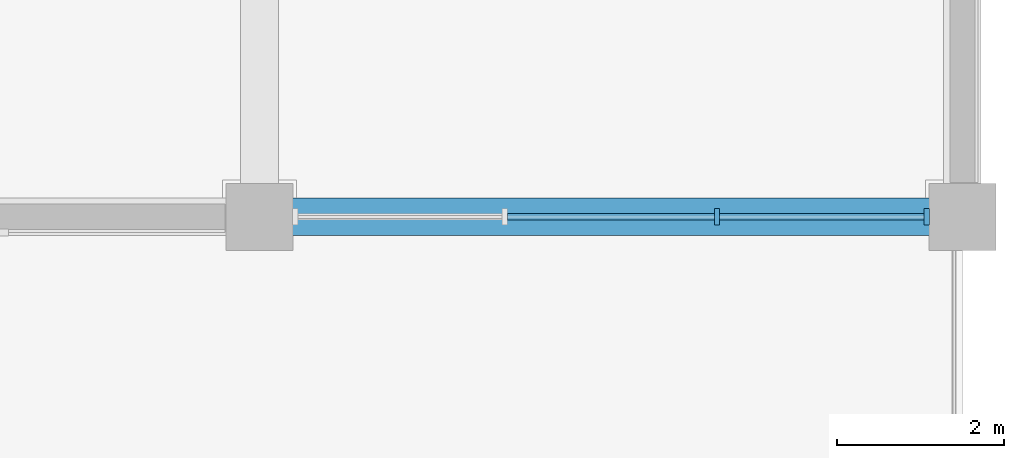
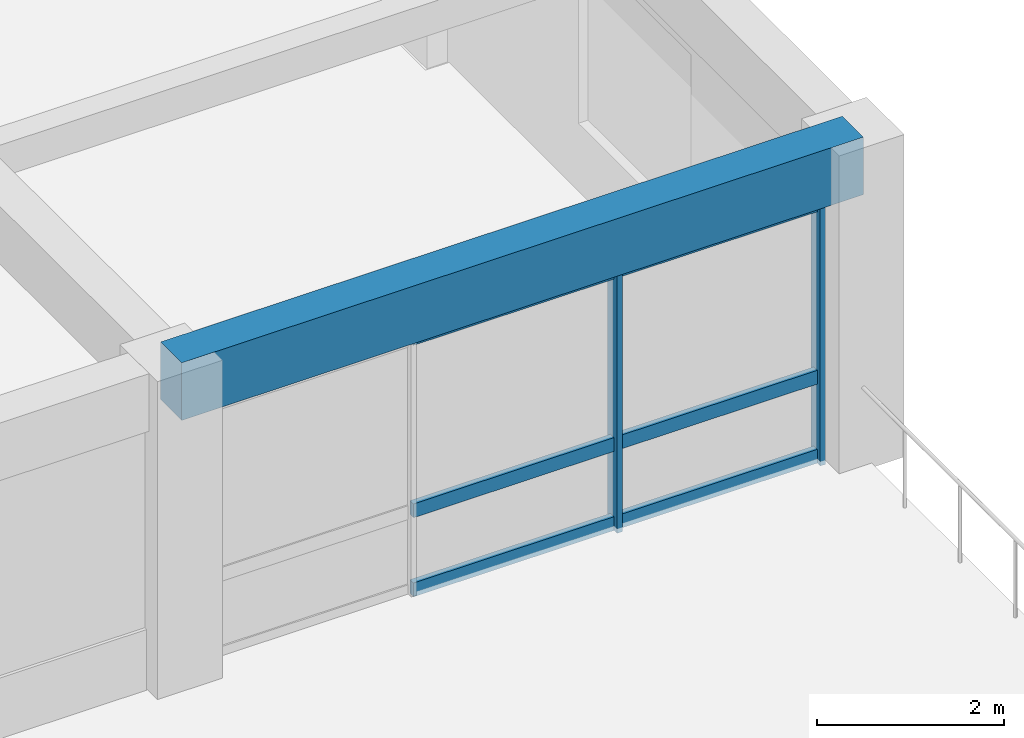
# One storey, part 24 of 57: 8 members, 1 beam, 1 element without a shape of its own.
"""IFC4 building model written with IfcOpenShell, lengths in metres."""

from ifc_helpers import new_model, si_unit, direction, frame, origin, origin_2d, place, context, subcontext, project, spatial, rectangle, extrude, material, material_profile, profile_set, type_object, element, aggregate, save


model = new_model("IFC4")

# Units and contexts
model_context = context("Model", 3, precision=1e-05, world=origin(), true_north=direction((0.0, 1.0)))
body_context = subcontext(model_context, "Body", "Model", "MODEL_VIEW")
ifc_project = project(units=[si_unit("LENGTHUNIT", "METRE"), si_unit("AREAUNIT", "SQUARE_METRE"), si_unit("VOLUMEUNIT", "CUBIC_METRE"), si_unit("PLANEANGLEUNIT", "RADIAN"), si_unit("MASSUNIT", "GRAM", prefix="KILO")], contexts=[model_context])

# Site, building, storey
site_placement = place(None, origin())
site = spatial("IfcSite", under=ifc_project, at=site_placement, CompositionType="ELEMENT")
building_placement = place(site_placement, origin())
building = spatial("IfcBuilding", under=site, at=building_placement, Name="Kemercrest Conservatory and Botanical Centre", CompositionType="ELEMENT")
storey_placement = place(building_placement, frame((0.0, 0.0, 4.800048828125)))
storey = spatial("IfcBuildingStorey", under=building, at=storey_placement, Name="L01", CompositionType="ELEMENT", Elevation=4.800048828125)

# Curtain wall, members
ifc_material_1 = material(Name="Thermally broken aluminium and triple low-e glazing", Category="aluminium")
curtain_wall_type = type_object("IfcCurtainWallType", Name="CW-21", PredefinedType="USERDEFINED", material=ifc_material_1)
curtain_wall_placement = place(storey_placement, origin())
curtain_wall = element("IfcCurtainWall", 1, at=curtain_wall_placement, inside=storey, type_object=curtain_wall_type, Name="Unitised curtain wall CW-21 (CW:L01:V4-050)", ObjectType="UNITISED CURTAIN WALL", PredefinedType="USERDEFINED")
ifc_material_2 = material(Name="Thermally broken anodized aluminium 6063-T6", Category="aluminium")
ifc_material_profile_1 = material_profile(ifc_material_2, rectangle(XDim=0.199951171875, YDim=0.06494140625, at=origin_2d()), Name="AL MULLION 65x200")
ifc_profile_set_1 = profile_set([ifc_material_profile_1], Name="Thermally broken anodized aluminium 6063-T6")
member_type_1 = type_object("IfcMemberType", Name="CW-M200", PredefinedType="MULLION", material=ifc_profile_set_1)
member_1_placement = place(storey_placement, frame((173.068359375, 69.60009765625, 0.0), z_axis=(0.0, 0.0, 1.0), x_axis=(0.0, 1.0, 0.0)))
member_1 = element("IfcMember", 2, at=member_1_placement, type_object=member_type_1, Name="CW-21 mullion 3", PredefinedType="MULLION", context=body_context, shape_type="SweptSolid", body=[
    extrude(rectangle(XDim=0.199951171875, YDim=0.06494140625, at=origin_2d()), origin(), (0.0, 0.0, 1.0), 3.454833984375),
])
member_2_placement = place(storey_placement, frame((175.572509765625, 69.60009765625, 0.0), z_axis=(0.0, 0.0, 1.0), x_axis=(0.0, 1.0, 0.0)))
member_2 = element("IfcMember", 3, at=member_2_placement, type_object=member_type_1, Name="CW-21 mullion 4", PredefinedType="MULLION", context=body_context, shape_type="SweptSolid", body=[
    extrude(rectangle(XDim=0.199951171875, YDim=0.06494140625, at=origin_2d()), origin(), (0.0, 0.0, 1.0), 3.454833984375),
])
ifc_material_profile_2 = material_profile(ifc_material_2, rectangle(XDim=0.074951171875, YDim=0.179931640625, at=origin_2d()), Name="AL TRANSOM 75x180")
ifc_profile_set_2 = profile_set([ifc_material_profile_2], Name="Thermally broken anodized aluminium 6063-T6")
member_type_2 = type_object("IfcMemberType", Name="CW-T180", PredefinedType="USERDEFINED", material=ifc_profile_set_2)
member_3_placement = place(storey_placement, frame((170.564208984375, 69.60009765625, 0.08984375), z_axis=(1.0, 0.0, 0.0), x_axis=(0.0, 1.0, 0.0)))
member_3 = element("IfcMember", 4, at=member_3_placement, type_object=member_type_2, Name="CW-21 transom 2.1", ObjectType="TRANSOM", PredefinedType="USERDEFINED", context=body_context, shape_type="SweptSolid", body=[
    extrude(rectangle(XDim=0.074951171875, YDim=0.179931640625, at=origin_2d()), origin(), (0.0, 0.0, 1.0), 2.4716796875),
])
member_4_placement = place(storey_placement, frame((170.564208984375, 69.60009765625, 1.119873046875), z_axis=(1.0, 0.0, 0.0), x_axis=(0.0, 1.0, 0.0)))
member_4 = element("IfcMember", 5, at=member_4_placement, type_object=member_type_2, Name="CW-21 transom 2.2", ObjectType="TRANSOM", PredefinedType="USERDEFINED", context=body_context, shape_type="SweptSolid", body=[
    extrude(rectangle(XDim=0.074951171875, YDim=0.179931640625, at=origin_2d()), origin(), (0.0, 0.0, 1.0), 2.4716796875),
])
member_5_placement = place(storey_placement, frame((170.564208984375, 69.60009765625, 3.364990234375), z_axis=(1.0, 0.0, 0.0), x_axis=(0.0, 1.0, 0.0)))
member_5 = element("IfcMember", 6, at=member_5_placement, type_object=member_type_2, Name="CW-21 transom 2.3", ObjectType="TRANSOM", PredefinedType="USERDEFINED", context=body_context, shape_type="SweptSolid", body=[
    extrude(rectangle(XDim=0.074951171875, YDim=0.179931640625, at=origin_2d()), origin(), (0.0, 0.0, 1.0), 2.4716796875),
])
member_6_placement = place(storey_placement, frame((173.100830078125, 69.60009765625, 0.08984375), z_axis=(1.0, 0.0, 0.0), x_axis=(0.0, 1.0, 0.0)))
member_6 = element("IfcMember", 7, at=member_6_placement, type_object=member_type_2, Name="CW-21 transom 3.1", ObjectType="TRANSOM", PredefinedType="USERDEFINED", context=body_context, shape_type="SweptSolid", body=[
    extrude(rectangle(XDim=0.074951171875, YDim=0.179931640625, at=origin_2d()), origin(), (0.0, 0.0, 1.0), 2.439208984375),
])
member_7_placement = place(storey_placement, frame((173.100830078125, 69.60009765625, 1.119873046875), z_axis=(1.0, 0.0, 0.0), x_axis=(0.0, 1.0, 0.0)))
member_7 = element("IfcMember", 8, at=member_7_placement, type_object=member_type_2, Name="CW-21 transom 3.2", ObjectType="TRANSOM", PredefinedType="USERDEFINED", context=body_context, shape_type="SweptSolid", body=[
    extrude(rectangle(XDim=0.074951171875, YDim=0.179931640625, at=origin_2d()), origin(), (0.0, 0.0, 1.0), 2.439208984375),
])
member_8_placement = place(storey_placement, frame((173.100830078125, 69.60009765625, 3.364990234375), z_axis=(1.0, 0.0, 0.0), x_axis=(0.0, 1.0, 0.0)))
member_8 = element("IfcMember", 9, at=member_8_placement, type_object=member_type_2, Name="CW-21 transom 3.3", ObjectType="TRANSOM", PredefinedType="USERDEFINED", context=body_context, shape_type="SweptSolid", body=[
    extrude(rectangle(XDim=0.074951171875, YDim=0.179931640625, at=origin_2d()), origin(), (0.0, 0.0, 1.0), 2.439208984375),
])
aggregate(curtain_wall, [member_1, member_2, member_3, member_4, member_5, member_6, member_7, member_8])

# Beam
ifc_material_3 = material(Name="Concrete C40/50", Category="concrete")
ifc_material_profile_3 = material_profile(ifc_material_3, rectangle(XDim=0.449951171875, YDim=0.75, at=origin_2d()), Name="RC 450x750")
ifc_profile_set_3 = profile_set([ifc_material_profile_3], Name="Concrete C40/50")
beam_type = type_object("IfcBeamType", Name="SP-RC75", PredefinedType="SPANDREL", material=ifc_profile_set_3)
beam_placement = place(storey_placement, frame((167.60009765625, 69.60009765625, 3.824951171875), z_axis=(1.0, 0.0, 0.0), x_axis=(0.0, 1.0, 0.0)))
element("IfcBeam", 10, at=beam_placement, inside=storey, type_object=beam_type, Name="V4-L02 beam SP-RC75 H/20-21", PredefinedType="SPANDREL", context=body_context, shape_type="SweptSolid", body=[
    extrude(rectangle(XDim=0.449951171875, YDim=0.75, at=origin_2d()), origin(), (0.0, 0.0, 1.0), 8.39990234375),
])

save(model, "model.ifc")
